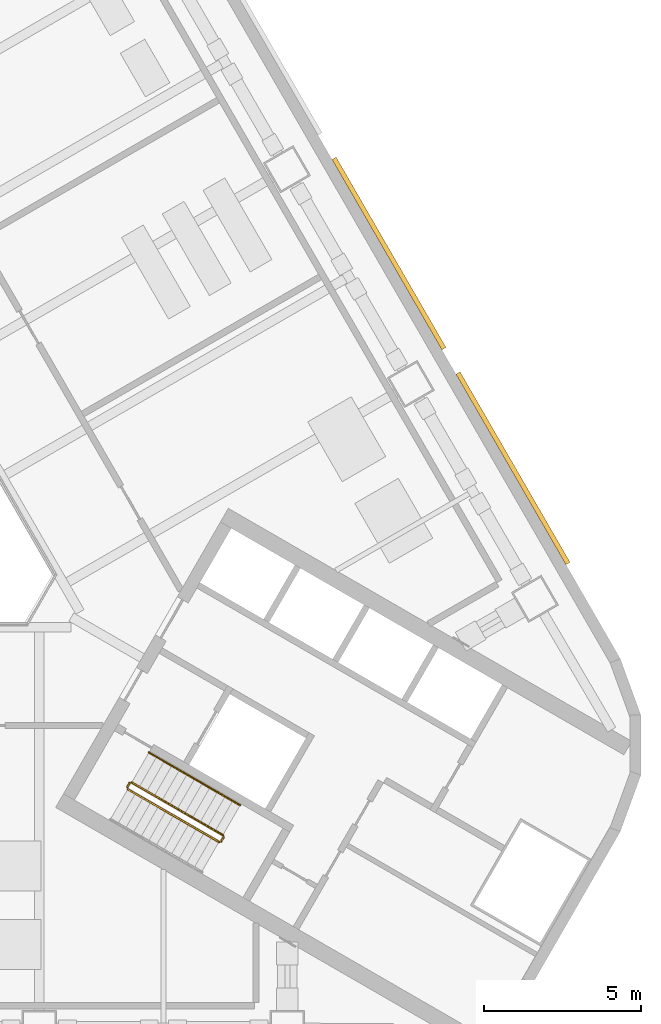
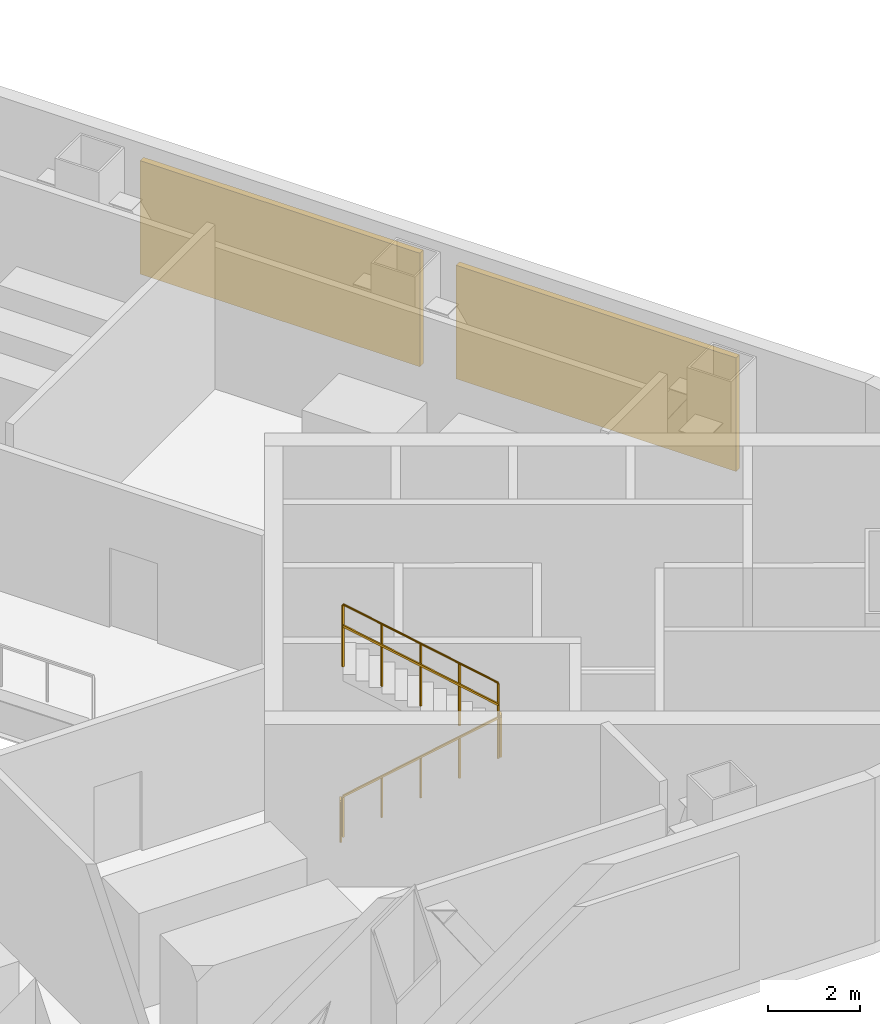
# One storey, part 12 of 14: 5 railings, 2 shading devices.
"""IFC4 building model written with IfcOpenShell, lengths in metres."""

from ifc_helpers import new_model, si_unit, direction, frame, origin, origin_2d, place, context, subcontext, project, spatial, rectangle, circle, extrude, material, type_object, element, save


model = new_model("IFC4")

# Units and contexts
model_context = context("Model", 3, precision=1e-05, world=origin(), true_north=direction((0.0, 1.0)))
body_context = subcontext(model_context, "Body", "Model", "MODEL_VIEW")
ifc_project = project(units=[si_unit("LENGTHUNIT", "METRE"), si_unit("AREAUNIT", "SQUARE_METRE"), si_unit("VOLUMEUNIT", "CUBIC_METRE"), si_unit("PLANEANGLEUNIT", "RADIAN"), si_unit("MASSUNIT", "GRAM", prefix="KILO")], contexts=[model_context])

# Site, building, storey
site_placement = place(None, origin())
site = spatial("IfcSite", under=ifc_project, at=site_placement, CompositionType="ELEMENT")
building_placement = place(site_placement, origin())
building = spatial("IfcBuilding", under=site, at=building_placement, Name="Apuvela Tower Hotel", CompositionType="ELEMENT")
storey_placement = place(building_placement, frame((0.0, 0.0, 42.0)))
storey = spatial("IfcBuildingStorey", under=building, at=storey_placement, Name="L07 Plant", CompositionType="ELEMENT", Elevation=42.0)

# Railings
ifc_material_1 = material(Name="Steel S275 balustrade", Category="steel")
railing_type_1 = type_object("IfcRailingType", Name="COR-GUARD-1100", PredefinedType="GUARDRAIL", material=ifc_material_1)
railing_1_placement = place(storey_placement, frame((10.718994140625, -10.63427734375, 0.173095703125)))
element("IfcRailing", 1, at=railing_1_placement, inside=storey, type_object=railing_type_1, Name="L07 Plant ST3 stair guard 1", PredefinedType="GUARDRAIL", context=body_context, shape_type="SweptSolid", body=[
    extrude(rectangle(XDim=0.048095703125, YDim=0.048095703125, at=origin_2d()), frame((0.0, 0.0, 1.076171875), z_axis=(0.736667954249, -0.425288379326, 0.525785240943), x_axis=(0.499976138585, 0.866039179741, 0.0)), (0.0, 0.0, 1.0), 3.9501953125),
    extrude(rectangle(XDim=0.0419921875, YDim=0.0419921875, at=origin_2d()), origin(), (0.0, 0.0, 1.0), 1.052001953125),
    extrude(rectangle(XDim=0.0419921875, YDim=0.0419921875, at=origin_2d()), frame((0.7275390625, -0.419921875, 0.519287109375)), (0.0, 0.0, 1.0), 1.052001953125),
    extrude(rectangle(XDim=0.0419921875, YDim=0.0419921875, at=origin_2d()), frame((1.455078125, -0.83984375, 1.03857421875)), (0.0, 0.0, 1.0), 1.052001953125),
    extrude(rectangle(XDim=0.0419921875, YDim=0.0419921875, at=origin_2d()), frame((2.182373046875, -1.260009765625, 1.5576171875)), (0.0, 0.0, 1.0), 1.052001953125),
    extrude(rectangle(XDim=0.0419921875, YDim=0.0419921875, at=origin_2d()), frame((2.909912109375, -1.679931640625, 2.076904296875)), (0.0, 0.0, 1.0), 1.052001953125),
])
railing_2_placement = place(storey_placement, frame((13.697021484375, -12.2958984375, 2.25)))
element("IfcRailing", 2, at=railing_2_placement, inside=storey, type_object=railing_type_1, Name="L07 Plant ST3 stair guard 2", PredefinedType="GUARDRAIL", context=body_context, shape_type="SweptSolid", body=[
    extrude(rectangle(XDim=0.048095703125, YDim=0.048095703125, at=origin_2d()), frame((0.0, 0.0, 1.076171875), z_axis=(0.501036270542, 0.865426285481, 0.0), x_axis=(-0.865426285481, 0.501036270542, 0.0)), (0.0, 0.0, 1.0), 0.150146484375),
    extrude(rectangle(XDim=0.0419921875, YDim=0.0419921875, at=origin_2d()), origin(), (0.0, 0.0, 1.0), 1.052001953125),
    extrude(rectangle(XDim=0.0419921875, YDim=0.0419921875, at=origin_2d()), frame((0.0751953125, 0.1298828125, 0.0)), (0.0, 0.0, 1.0), 1.052001953125),
])
railing_3_placement = place(storey_placement, frame((13.75390625, -12.09765625, 2.423095703125)))
element("IfcRailing", 3, at=railing_3_placement, inside=storey, type_object=railing_type_1, Name="L07 Plant ST3 stair guard 3", PredefinedType="GUARDRAIL", context=body_context, shape_type="SweptSolid", body=[
    extrude(rectangle(XDim=0.048095703125, YDim=0.048095703125, at=origin_2d()), frame((0.0, 0.0, 1.076171875), z_axis=(-0.736667954249, 0.425288379326, 0.525785240943), x_axis=(-0.499976138585, -0.866039179741, 0.0)), (0.0, 0.0, 1.0), 3.9501953125),
    extrude(rectangle(XDim=0.0419921875, YDim=0.0419921875, at=origin_2d()), origin(), (0.0, 0.0, 1.0), 1.052001953125),
    extrude(rectangle(XDim=0.0419921875, YDim=0.0419921875, at=origin_2d()), frame((-0.7275390625, 0.419921875, 0.519287109375)), (0.0, 0.0, 1.0), 1.052001953125),
    extrude(rectangle(XDim=0.0419921875, YDim=0.0419921875, at=origin_2d()), frame((-1.455078125, 0.83984375, 1.03857421875)), (0.0, 0.0, 1.0), 1.052001953125),
    extrude(rectangle(XDim=0.0419921875, YDim=0.0419921875, at=origin_2d()), frame((-2.182373046875, 1.260009765625, 1.5576171875)), (0.0, 0.0, 1.0), 1.052001953125),
    extrude(rectangle(XDim=0.0419921875, YDim=0.0419921875, at=origin_2d()), frame((-2.909912109375, 1.679931640625, 2.076904296875)), (0.0, 0.0, 1.0), 1.052001953125),
])
railing_4_placement = place(storey_placement, frame((10.70068359375, -10.56591796875, 0.0)))
element("IfcRailing", 4, at=railing_4_placement, inside=storey, type_object=railing_type_1, Name="L07 Plant ST3 stair guard 4", PredefinedType="GUARDRAIL", context=body_context, shape_type="SweptSolid", body=[
    extrude(rectangle(XDim=0.048095703125, YDim=0.048095703125, at=origin_2d()), frame((0.0, 0.0, 1.076171875), z_axis=(0.499816412211, 0.866131372301, 0.0), x_axis=(-0.866131372301, 0.499816412211, 0.0)), (0.0, 0.0, 1.0), 0.14990234375),
    extrude(rectangle(XDim=0.0419921875, YDim=0.0419921875, at=origin_2d()), origin(), (0.0, 0.0, 1.0), 1.052001953125),
    extrude(rectangle(XDim=0.0419921875, YDim=0.0419921875, at=origin_2d()), frame((0.074951171875, 0.1298828125, 0.0)), (0.0, 0.0, 1.0), 1.052001953125),
])
ifc_material_2 = material(Name="Stainless steel 316 handrail", Category="steel")
railing_type_2 = type_object("IfcRailingType", Name="COR-HANDRAIL-900", PredefinedType="HANDRAIL", material=ifc_material_2)
railing_5_placement = place(storey_placement, frame((14.3037109375, -11.14501953125, 2.423095703125)))
element("IfcRailing", 5, at=railing_5_placement, inside=storey, type_object=railing_type_2, Name="L07 Plant ST3 stair handrail 2", PredefinedType="HANDRAIL", context=body_context, shape_type="SweptSolid", body=[
    extrude(circle(Radius=0.02392578125, at=origin_2d()), frame((0.0, 0.0, 0.8759765625), z_axis=(-0.736639687092, 0.425307743487, 0.525809180911), x_axis=(-0.500007602105, -0.866021014662, 0.0)), (0.0, 0.0, 1.0), 3.949951171875),
    extrude(rectangle(XDim=0.0419921875, YDim=0.0419921875, at=origin_2d()), origin(), (0.0, 0.0, 1.0), 0.851806640625),
    extrude(rectangle(XDim=0.0419921875, YDim=0.0419921875, at=origin_2d()), frame((-0.7275390625, 0.419921875, 0.519287109375)), (0.0, 0.0, 1.0), 0.851806640625),
    extrude(rectangle(XDim=0.0419921875, YDim=0.0419921875, at=origin_2d()), frame((-1.454833984375, 0.83984375, 1.03857421875)), (0.0, 0.0, 1.0), 0.851806640625),
    extrude(rectangle(XDim=0.0419921875, YDim=0.0419921875, at=origin_2d()), frame((-2.18212890625, 1.260009765625, 1.5576171875)), (0.0, 0.0, 1.0), 0.851806640625),
    extrude(rectangle(XDim=0.0419921875, YDim=0.0419921875, at=origin_2d()), frame((-2.90966796875, 1.679931640625, 2.076904296875)), (0.0, 0.0, 1.0), 0.851806640625),
])

# Shading devices
ifc_material_3 = material(Name="Aluminium 6063-T6, black anodised louvre blades", Category="aluminium")
shading_device_type = type_object("IfcShadingDeviceType", Name="ENV-LOUVRE-SCREEN", PredefinedType="USERDEFINED", material=ifc_material_3)
for number, where, z_axis, x_axis, name in (
    (6, (22.989990234375, -0.409912109375, 0.60009765625), (0.0, 0.0, 1.0), (-0.5, 0.866025403784, 0.0), "Plant louvre NE5"),
    (7, (19.0400390625, 6.431640625, 0.60009765625), (0.0, 0.0, 1.0), (-0.5, 0.866025403784, 0.0), "Plant louvre NE6"),
):
    element("IfcShadingDevice", number, at=place(storey_placement, frame(where, z_axis=z_axis, x_axis=x_axis)), inside=storey, type_object=shading_device_type, Name=name, ObjectType="LOUVRE", PredefinedType="USERDEFINED", context=body_context, shape_type="SweptSolid", body=[
        extrude(rectangle(XDim=7.0, YDim=0.14990234375, at=origin_2d()), origin(), (0.0, 0.0, 1.0), 3.0),
    ])

save(model, "model.ifc")
